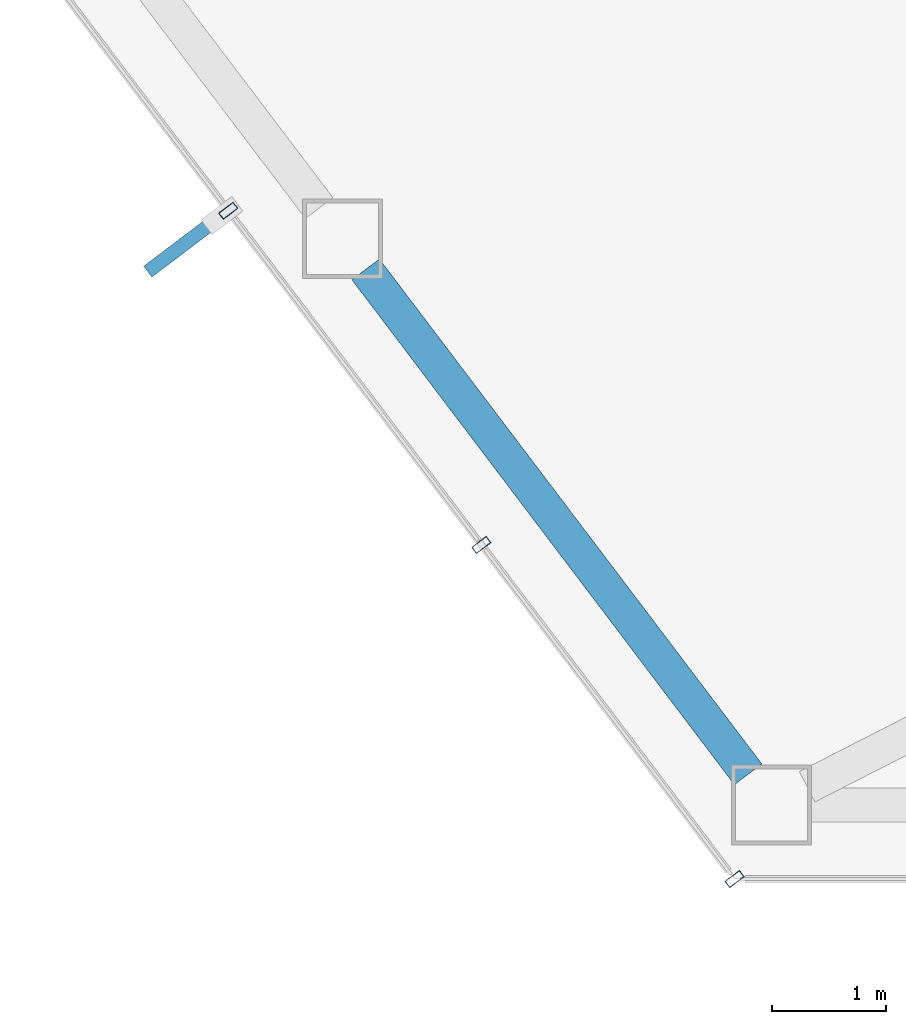
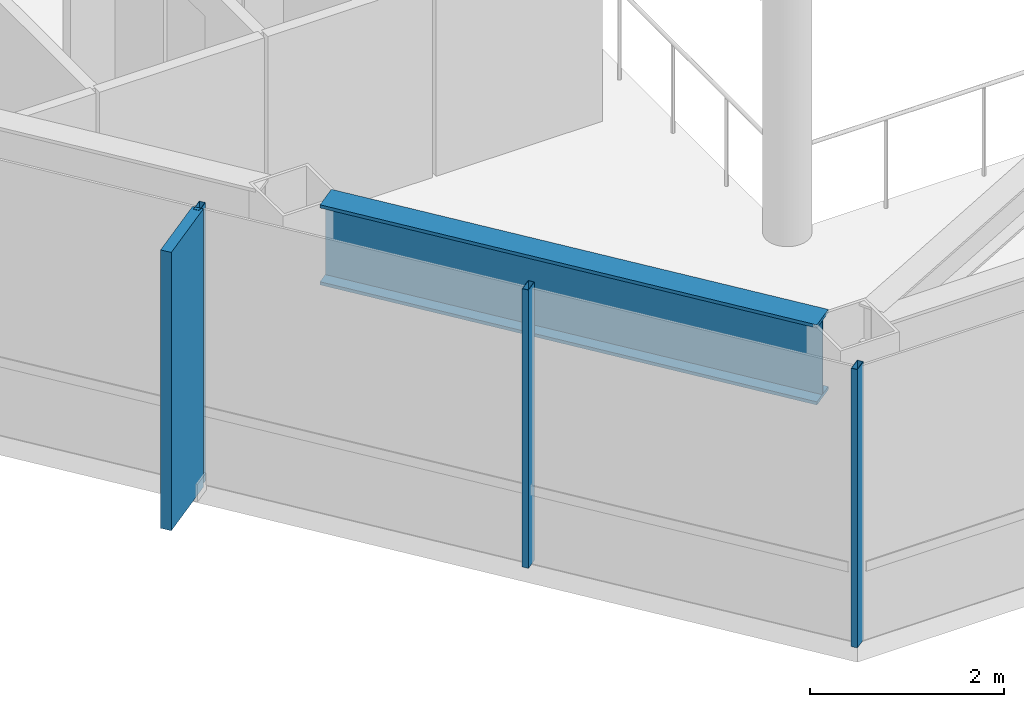
# One storey, part 2 of 28: 4 members, 1 beam, 1 element without a shape of its own.
"""IFC4 building model written with IfcOpenShell, lengths in metres."""

from ifc_helpers import new_model, si_unit, direction, frame, origin, origin_2d, place, context, subcontext, project, spatial, rectangle, hollow_rectangle, i_section, extrude, material, layer, layer_set, material_profile, profile_set, type_object, element, aggregate, save


model = new_model("IFC4")

# Units and contexts
model_context = context("Model", 3, precision=1e-05, world=origin(), true_north=direction((0.0, 1.0)))
body_context = subcontext(model_context, "Body", "Model", "MODEL_VIEW")
ifc_project = project(units=[si_unit("LENGTHUNIT", "METRE"), si_unit("AREAUNIT", "SQUARE_METRE"), si_unit("VOLUMEUNIT", "CUBIC_METRE"), si_unit("PLANEANGLEUNIT", "RADIAN"), si_unit("MASSUNIT", "GRAM", prefix="KILO")], contexts=[model_context])

# Site, building, storey
site_placement = place(None, origin())
site = spatial("IfcSite", under=ifc_project, at=site_placement, CompositionType="ELEMENT")
building_placement = place(site_placement, origin())
building = spatial("IfcBuilding", under=site, at=building_placement, Name="Zarrinselat Tower", CompositionType="ELEMENT")
storey_placement = place(building_placement, frame((0.0, 0.0, 164.56005859375)))
storey = spatial("IfcBuildingStorey", under=building, at=storey_placement, Name="L40", CompositionType="ELEMENT", Elevation=164.56005859375)

# Beam
ifc_material_1 = material(Name="Steel S460M", Category="steel")
ifc_material_profile_1 = material_profile(ifc_material_1, i_section(OverallWidth=0.302001953125, OverallDepth=1.008056640625, WebThickness=0.02099609375, FlangeThickness=0.0400390625, at=origin_2d()), Name="HEM 1000")
ifc_profile_set_1 = profile_set([ifc_material_profile_1], Name="Steel S460M")
beam_type = type_object("IfcBeamType", Name="BM-HEM1000", PredefinedType="BEAM", material=ifc_profile_set_1)
beam_placement = place(storey_placement, frame((27.501953125, 23.0009765625, 2.995849609375), z_axis=(0.603832304044, -0.797111377784, 0.0), x_axis=(0.797111377784, 0.603832304044, 0.0)))
element("IfcBeam", 1, at=beam_placement, inside=storey, type_object=beam_type, Name="L40 Perimeter Spandrel Girder SP09", PredefinedType="BEAM", context=body_context, shape_type="SweptSolid", body=[
    extrude(i_section(OverallWidth=0.302001953125, OverallDepth=1.008056640625, WebThickness=0.02099609375, FlangeThickness=0.0400390625, at=origin_2d()), origin(), (0.0, 0.0, 1.0), 5.555419921875),
])

# Curtain wall, members
ifc_material_2 = material(Name="Extruded Aluminium Alloy EN AW-6063 T6", Category="aluminium")
ifc_layer = layer(ifc_material_2, 0.175048828125)
ifc_layer_set = layer_set([ifc_layer], Name="Extruded Aluminium Alloy EN AW-6063 T6")
curtain_wall_type = type_object("IfcCurtainWallType", Name="CWS-HTL", PredefinedType="NOTDEFINED", material=ifc_layer_set)
curtain_wall_placement = place(storey_placement, origin())
curtain_wall = element("IfcCurtainWall", 2, at=curtain_wall_placement, inside=storey, type_object=curtain_wall_type, Name="L40 Unitised Curtain Wall CW-L40-E03", PredefinedType="NOTDEFINED")
ifc_material_3 = material(Name="Extruded Aluminium Alloy EN AW-6063 T6", Category="aluminium")
ifc_material_profile_2 = material_profile(ifc_material_3, hollow_rectangle(XDim=0.070068359375, YDim=0.159912109375, WallThickness=0.00390625, at=origin_2d()), Name="RHS 160x70x4")
ifc_profile_set_2 = profile_set([ifc_material_profile_2], Name="Extruded Aluminium Alloy EN AW-6063 T6")
member_type_1 = type_object("IfcMemberType", Name="MEM-CW-MUL2", PredefinedType="MULLION", material=ifc_profile_set_2)
member_1_placement = place(storey_placement, frame((26.29638671875, 23.515380859375, 0.0), z_axis=(0.0, 0.0, 1.0), x_axis=(0.603857987184, -0.797091921496, 0.0)))
member_1 = element("IfcMember", 3, at=member_1_placement, type_object=member_type_1, Name="CW-L40-E03 Mullion 5", PredefinedType="MULLION", context=body_context, shape_type="SweptSolid", body=[
    extrude(hollow_rectangle(XDim=0.070068359375, YDim=0.159912109375, WallThickness=0.00390625, at=origin_2d()), origin(), (0.0, 0.0, 1.0), 3.5),
])
member_2_placement = place(storey_placement, frame((28.51708984375, 20.58447265625, 0.0), z_axis=(0.0, 0.0, 1.0), x_axis=(0.603857987184, -0.797091921496, 0.0)))
member_2 = element("IfcMember", 4, at=member_2_placement, type_object=member_type_1, Name="CW-L40-E03 Mullion 6", PredefinedType="MULLION", context=body_context, shape_type="SweptSolid", body=[
    extrude(hollow_rectangle(XDim=0.070068359375, YDim=0.159912109375, WallThickness=0.00390625, at=origin_2d()), origin(), (0.0, 0.0, 1.0), 3.5),
])
member_3_placement = place(storey_placement, frame((30.737548828125, 17.6533203125, 0.0), z_axis=(0.0, 0.0, 1.0), x_axis=(0.603857987184, -0.797091921496, 0.0)))
member_3 = element("IfcMember", 5, at=member_3_placement, type_object=member_type_1, Name="CW-L40-E03 Mullion 7", PredefinedType="MULLION", context=body_context, shape_type="SweptSolid", body=[
    extrude(hollow_rectangle(XDim=0.070068359375, YDim=0.159912109375, WallThickness=0.00390625, at=origin_2d()), origin(), (0.0, 0.0, 1.0), 3.5),
])
ifc_material_4 = material(Name="Honed Cream Travertine Stone", Category="masonry")
ifc_material_profile_3 = material_profile(ifc_material_4, rectangle(XDim=0.1201171875, YDim=0.85009765625, at=origin_2d()), Name="FIN 850x120")
ifc_profile_set_3 = profile_set([ifc_material_profile_3], Name="Honed Cream Travertine Stone")
member_type_2 = type_object("IfcMemberType", Name="MEM-STONE-FIN", PredefinedType="USERDEFINED", material=ifc_profile_set_3)
member_4_placement = place(storey_placement, frame((25.9296875, 23.23779296875, 0.0), z_axis=(0.0, 0.0, 1.0), x_axis=(-0.603857987184, 0.797091921496, 0.0)))
member_4 = element("IfcMember", 6, at=member_4_placement, type_object=member_type_2, Name="L40 Stone Shading Fin CW-L40-E03-05", ObjectType="FIN", PredefinedType="USERDEFINED", context=body_context, shape_type="SweptSolid", body=[
    extrude(rectangle(XDim=0.1201171875, YDim=0.85009765625, at=origin_2d()), origin(), (0.0, 0.0, 1.0), 3.5),
])
aggregate(curtain_wall, [member_1, member_4, member_2, member_3])

save(model, "model.ifc")
